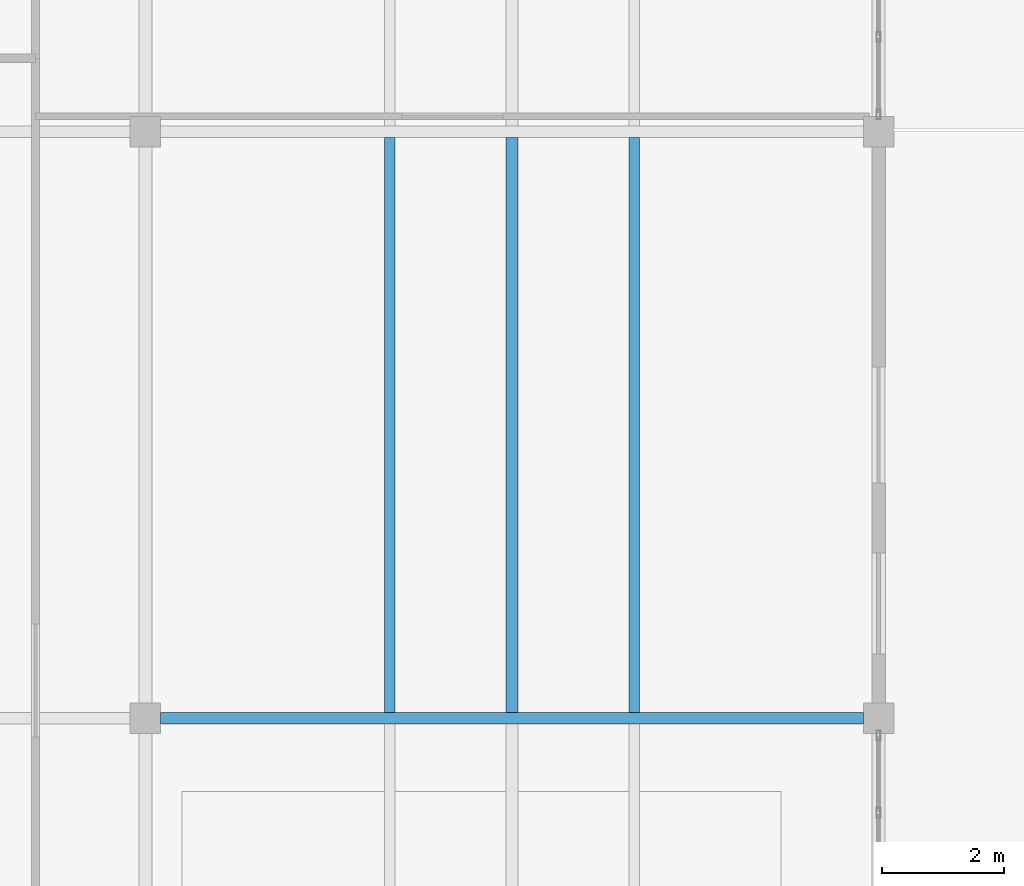
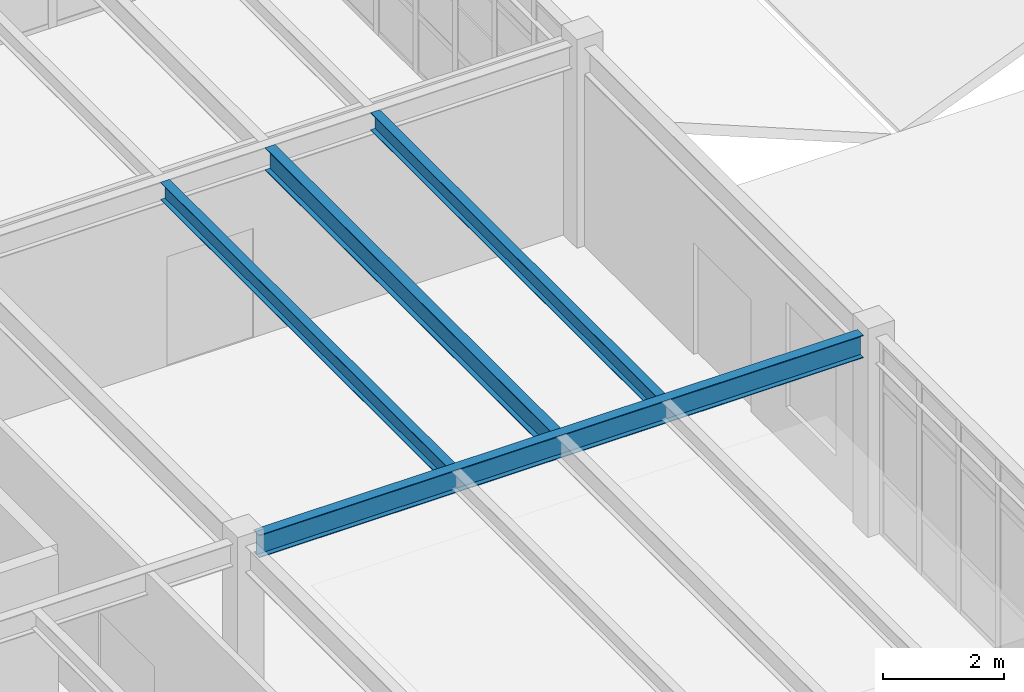
# One storey, part 13 of 83: 4 beams.
"""IFC4 building model written with IfcOpenShell, lengths in metres."""

from ifc_helpers import new_model, si_unit, direction, frame, origin, origin_2d, place, context, subcontext, project, spatial, i_section, extrude, material, material_profile, profile_set, type_object, element, save


model = new_model("IFC4")

# Units and contexts
model_context = context("Model", 3, precision=1e-05, world=origin(), true_north=direction((0.0, 1.0)))
body_context = subcontext(model_context, "Body", "Model", "MODEL_VIEW")
ifc_project = project(units=[si_unit("LENGTHUNIT", "METRE"), si_unit("AREAUNIT", "SQUARE_METRE"), si_unit("VOLUMEUNIT", "CUBIC_METRE"), si_unit("PLANEANGLEUNIT", "RADIAN"), si_unit("MASSUNIT", "GRAM", prefix="KILO")], contexts=[model_context])

# Site, building, storey
site_placement = place(None, origin())
site = spatial("IfcSite", under=ifc_project, at=site_placement, CompositionType="ELEMENT")
building_placement = place(site_placement, origin())
building = spatial("IfcBuilding", under=site, at=building_placement, Name="Pandanus Reach Market Hall", CompositionType="ELEMENT")
storey_placement = place(building_placement, frame((0.0, 0.0, 10.199951171875)))
storey = spatial("IfcBuildingStorey", under=building, at=storey_placement, Name="L02", CompositionType="ELEMENT", Elevation=10.199951171875)

# Beams
ifc_material = material(Name="Steel Grade 350 (350 MPa)", Category="steel")
ifc_material_profile_1 = material_profile(ifc_material, i_section(OverallWidth=0.18994140625, OverallDepth=0.45703125, WebThickness=0.009033203125, FlangeThickness=0.014404296875, at=origin_2d()), Name="460UB74.6", Category="LoadBearing")
ifc_profile_set_1 = profile_set([ifc_material_profile_1], Name="Steel Grade 350 (350 MPa)")
beam_type_1 = type_object("IfcBeamType", Name="BM-UB460-I", PredefinedType="BEAM", material=ifc_profile_set_1)
beam_1_placement = place(storey_placement, frame((12.248046875, 9.60009765625, 3.751220703125), z_axis=(1.0, 0.0, 0.0), x_axis=(0.0, 1.0, 0.0)))
element("IfcBeam", 1, at=beam_1_placement, inside=storey, type_object=beam_type_1, Name="Framing beam BM-UB460-I L02.1014", PredefinedType="BEAM", context=body_context, shape_type="SweptSolid", body=[
    extrude(i_section(OverallWidth=0.18994140625, OverallDepth=0.45703125, WebThickness=0.009033203125, FlangeThickness=0.014404296875, at=origin_2d()), origin(), (0.0, 0.0, 1.0), 11.50390625),
])
beam_2_placement = place(storey_placement, frame((18.0, 9.693115234375, 3.75), z_axis=(0.0, 1.0, 0.0), x_axis=(-1.0, 0.0, 0.0)))
element("IfcBeam", 2, at=beam_2_placement, inside=storey, type_object=beam_type_1, Name="Food court valley beam B2.9", PredefinedType="BEAM", context=body_context, shape_type="SweptSolid", body=[
    extrude(i_section(OverallWidth=0.18994140625, OverallDepth=0.45703125, WebThickness=0.009033203125, FlangeThickness=0.014404296875, at=origin_2d()), origin(), (0.0, 0.0, 1.0), 9.413818359375),
])
ifc_material_profile_2 = material_profile(ifc_material, i_section(OverallWidth=0.1708984375, OverallDepth=0.35595703125, WebThickness=0.00732421875, FlangeThickness=0.011474609375, at=origin_2d()), Name="360UB50.7", Category="LoadBearing")
ifc_profile_set_2 = profile_set([ifc_material_profile_2], Name="Steel Grade 350 (350 MPa)")
beam_type_2 = type_object("IfcBeamType", Name="JS-UB360-I", PredefinedType="JOIST", material=ifc_profile_set_2)
for number, where, z_axis, x_axis, name in (
    (3, (16.0, 9.693115234375, 3.8017578125), (0.0, 1.0, 0.0), (-1.0, 0.0, 0.0), "Secondary joist JS-UB360-I L02.1034"),
    (4, (20.0, 9.693115234375, 3.8017578125), (0.0, 1.0, 0.0), (-1.0, 0.0, 0.0), "Secondary joist JS-UB360-I L02.1035"),
):
    element("IfcBeam", number, at=place(storey_placement, frame(where, z_axis=z_axis, x_axis=x_axis)), inside=storey, type_object=beam_type_2, Name=name, PredefinedType="JOIST", context=body_context, shape_type="SweptSolid", body=[
        extrude(i_section(OverallWidth=0.1708984375, OverallDepth=0.35595703125, WebThickness=0.00732421875, FlangeThickness=0.011474609375, at=origin_2d()), origin(), (0.0, 0.0, 1.0), 9.413818359375),
    ])

save(model, "model.ifc")
